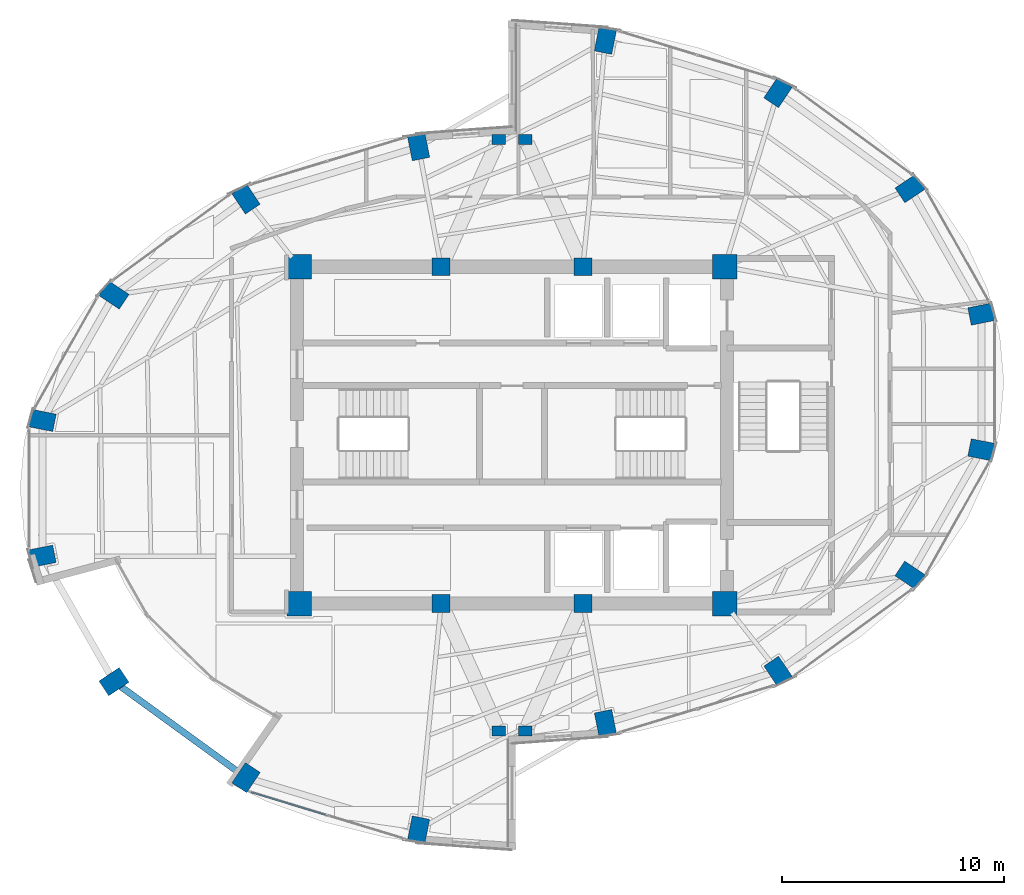
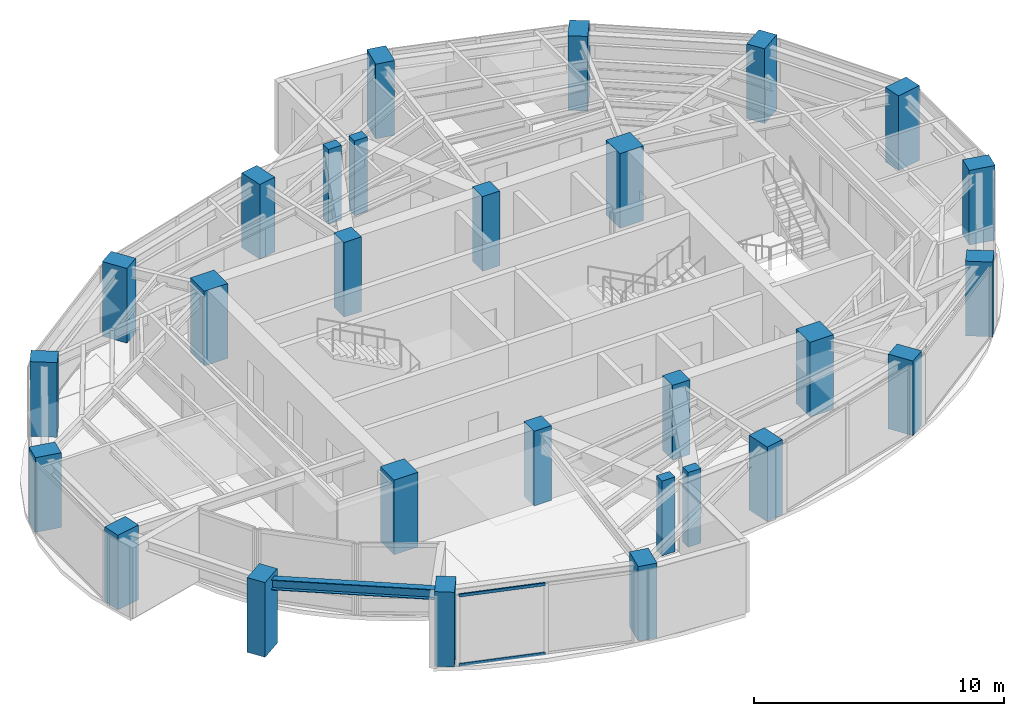
# One storey, part 1 of 21: 28 columns, 2 members, 1 beam, 1 element without a shape of its own.
"""IFC4 building model written with IfcOpenShell, lengths in metres."""

import ifcopenshell
import ifcopenshell.guid

model = None  # the IFC model being written
_history = None  # IfcOwnerHistory: only IFC2X3 demands one
_inside = {}  # id of a spatial element -> (the spatial element, [elements in it])
_under = {}  # id of a project, library or spatial element -> (it, [spatial elements below it])
_declared = {}  # id of a project -> (the project, [libraries it declares])
_typed = {}  # id of a type object -> (the type object, [elements of that type])
_made_of = {}  # id of a material, layer set ... -> (it, [elements and type objects made of it])


def new_model(schema):
    """Start an empty IFC model of exactly this schema.

    Asked for "IFC4X3", IfcOpenShell would pick the latest addendum, in which some entities
    have other attributes; the version numbers below select the first issue.
    IFC2X3 requires an IfcOwnerHistory on every rooted entity: one is made here for all.
    """
    global model, _history
    if schema == "IFC4X3":
        model = ifcopenshell.file(schema_version=(4, 3, 0, 0))
    else:
        model = ifcopenshell.file(schema=schema)
    _inside.clear()
    _under.clear()
    _declared.clear()
    _typed.clear()
    _made_of.clear()
    _history = None
    if model.schema == "IFC2X3":
        org = make("IfcOrganization", Name="unknown")
        user = make(
            "IfcPersonAndOrganization",
            ThePerson=make("IfcPerson", FamilyName="unknown"),
            TheOrganization=org,
        )
        app = make(
            "IfcApplication",
            ApplicationDeveloper=org,
            Version="unknown",
            ApplicationFullName="unknown",
            ApplicationIdentifier="unknown",
        )
        _history = make(
            "IfcOwnerHistory",
            OwningUser=user,
            OwningApplication=app,
            ChangeAction="ADDED",
            CreationDate=0,
        )
    return model


def make(cls, **values):
    """One entity of the class cls with the attributes given. An attribute that is None is left unset."""
    return model.create_entity(
        cls, **{name: value for name, value in values.items() if value is not None}
    )


def rooted(cls, **values):
    """An entity with a GlobalId (a new one), such as an element, a storey or a relation."""
    return make(cls, GlobalId=ifcopenshell.guid.new(), OwnerHistory=_history, **values)


def si_unit(unit_type, name, prefix=None):
    """IfcSIUnit, for example si_unit("LENGTHUNIT", "METRE", prefix="MILLI")."""
    return make("IfcSIUnit", UnitType=unit_type, Prefix=prefix, Name=name)


def assignment(units):
    """IfcUnitAssignment: the units of a project."""
    return None if units is None else make("IfcUnitAssignment", Units=units)


def point(xyz):
    """IfcCartesianPoint."""
    return None if xyz is None else make("IfcCartesianPoint", Coordinates=xyz)


def direction(xyz):
    """IfcDirection."""
    return None if xyz is None else make("IfcDirection", DirectionRatios=xyz)


def frame(location, z_axis=None, x_axis=None):
    """IfcAxis2Placement3D, a coordinate frame: its origin and axes. An axis left out is left unset."""
    return make(
        "IfcAxis2Placement3D",
        Location=point(location),
        Axis=direction(z_axis),
        RefDirection=direction(x_axis),
    )


def frame_2d(location, x_axis=None):
    """IfcAxis2Placement2D, a coordinate frame in the plane: its origin and x axis."""
    return make(
        "IfcAxis2Placement2D", Location=point(location), RefDirection=direction(x_axis)
    )


def origin():
    """The frame at (0, 0, 0) with its axes left unset."""
    return frame((0.0, 0.0, 0.0))


def origin_2d():
    """The frame at (0, 0) in the plane with its x axis left unset."""
    return frame_2d((0.0, 0.0))


def place(relative_to, where):
    """IfcLocalPlacement: puts the frame where relative to a parent placement (None: the world)."""
    return make(
        "IfcLocalPlacement", PlacementRelTo=relative_to, RelativePlacement=where
    )


def context(
    kind, dimensions, precision=None, world=None, true_north=None, identifier=None
):
    """IfcGeometricRepresentationContext, for example the 3D "Model" context."""
    return make(
        "IfcGeometricRepresentationContext",
        ContextIdentifier=identifier,
        ContextType=kind,
        CoordinateSpaceDimension=dimensions,
        Precision=precision,
        WorldCoordinateSystem=world,
        TrueNorth=true_north,
    )


def subcontext(parent, identifier, kind, view, scale=None):
    """IfcGeometricRepresentationSubContext, for example "Body" below "Model"."""
    return make(
        "IfcGeometricRepresentationSubContext",
        ContextIdentifier=identifier,
        ContextType=kind,
        ParentContext=parent,
        TargetScale=scale,
        TargetView=view,
    )


def project(units=None, contexts=None):
    """IfcProject with its units and contexts."""
    return rooted(
        "IfcProject",
        Name="project",
        RepresentationContexts=contexts,
        UnitsInContext=assignment(units),
    )


def spatial(cls, under=None, at=None, **own):
    """A site, building, storey or space (cls), placed at a placement, below another one or the project."""
    s = rooted(cls, ObjectPlacement=at, **own)
    if under is not None:
        _under.setdefault(under.id(), (under, []))[1].append(s)
    return s


def profile(cls, at=None, kind="AREA", **sizes):
    """A parametric profile (cls). Its sizes go by their IFC names, for example OverallWidth=200.0."""
    return make(cls, ProfileType=kind, Position=at, **sizes)


def rectangle(**sizes):
    """IfcRectangleProfileDef."""
    return profile("IfcRectangleProfileDef", **sizes)


def hollow_rectangle(**sizes):
    """IfcRectangleHollowProfileDef."""
    return profile("IfcRectangleHollowProfileDef", **sizes)


def i_section(**sizes):
    """IfcIShapeProfileDef."""
    return profile("IfcIShapeProfileDef", **sizes)


def extrude(swept, where, along, depth):
    """IfcExtrudedAreaSolid: the profile swept, set in the frame where, extruded along a direction by depth."""
    return make(
        "IfcExtrudedAreaSolid",
        SweptArea=swept,
        Position=where,
        ExtrudedDirection=direction(along),
        Depth=depth,
    )


def shape(context_of_items, identifier, shape_type, items):
    """IfcShapeRepresentation: the items that make up one representation, for example the "Body"."""
    return make(
        "IfcShapeRepresentation",
        ContextOfItems=context_of_items,
        RepresentationIdentifier=identifier,
        RepresentationType=shape_type,
        Items=items,
    )


def material(Name=None, Category=None):
    """IfcMaterial."""
    return make("IfcMaterial", Name=Name, Category=Category)


def layer(
    of_material, thickness, ventilated=None, Name=None, Category=None, Priority=None
):
    """IfcMaterialLayer: one layer of a wall or slab, of a material (None: an air gap)."""
    return make(
        "IfcMaterialLayer",
        Material=of_material,
        LayerThickness=thickness,
        IsVentilated=ventilated,
        Name=Name,
        Category=Category,
        Priority=Priority,
    )


def layer_set(layers, Name=None):
    """IfcMaterialLayerSet."""
    return make("IfcMaterialLayerSet", MaterialLayers=layers, LayerSetName=Name)


def material_profile(
    of_material, cross_section, Name=None, Category=None, Priority=None
):
    """IfcMaterialProfile: a cross section and its material."""
    return make(
        "IfcMaterialProfile",
        Name=Name,
        Material=of_material,
        Profile=cross_section,
        Priority=Priority,
        Category=Category,
    )


def profile_set(profiles, Name=None, composite=None):
    """IfcMaterialProfileSet."""
    return make(
        "IfcMaterialProfileSet",
        Name=Name,
        MaterialProfiles=profiles,
        CompositeProfile=composite,
    )


def made_of(thing, what):
    """Note that an element or type object is made of a material, layer set ...; save() writes the relation."""
    if what is not None:
        _made_of.setdefault(what.id(), (what, []))[1].append(thing)
    return thing


def type_object(cls, material=None, **own):
    """A type object (cls), such as IfcWallType, which elements share."""
    return made_of(rooted(cls, **own), material)


def element(
    cls,
    number,
    at=None,
    inside=None,
    cuts=None,
    type_object=None,
    material=None,
    context=None,
    identifier="Body",
    shape_type=None,
    held_by="IfcProductDefinitionShape",
    body=None,
    shapes=None,
    **own,
):
    """One element of the class cls, such as IfcWall. Its Tag is "e" and its number.

    at: its placement. inside: the storey or other place that contains it. cuts: it is an
    opening in that element (IfcRelVoidsElement). A single representation is given by context,
    identifier, shape_type and body (its items); several are given by shapes. held_by: the class
    of the entity that holds the representations. save() writes the other relations.
    """
    e = rooted(cls, Tag="e%d" % number, ObjectPlacement=at, **own)
    if body is not None:
        shapes = [shape(context, identifier, shape_type, body)]
    if shapes is not None:
        e.Representation = make(held_by, Representations=shapes)
    if inside is not None:
        _inside.setdefault(inside.id(), (inside, []))[1].append(e)
    if cuts is not None:
        rooted(
            "IfcRelVoidsElement", RelatingBuildingElement=cuts, RelatedOpeningElement=e
        )
    if type_object is not None:
        _typed.setdefault(type_object.id(), (type_object, []))[1].append(e)
    return made_of(e, material)


def aggregate(whole, parts):
    """IfcRelAggregates: a whole, such as a stair, and the parts it consists of."""
    return rooted("IfcRelAggregates", RelatingObject=whole, RelatedObjects=parts)


def save(model, path):
    """Write the relations noted so far, then the file.

    IfcRelAggregates (storeys below a building ...), IfcRelContainedInSpatialStructure (elements
    in a storey), IfcRelDefinesByType, IfcRelAssociatesMaterial and IfcRelDeclares: one each for
    every whole, place, type object, material and project.
    """
    for whole, parts in _under.values():
        aggregate(whole, parts)
    for where, things in _inside.values():
        rooted(
            "IfcRelContainedInSpatialStructure",
            RelatedElements=things,
            RelatingStructure=where,
        )
    for kind, things in _typed.values():
        rooted("IfcRelDefinesByType", RelatedObjects=things, RelatingType=kind)
    for what, things in _made_of.values():
        rooted("IfcRelAssociatesMaterial", RelatedObjects=things, RelatingMaterial=what)
    for by, libraries in _declared.values():
        rooted("IfcRelDeclares", RelatingContext=by, RelatedDefinitions=libraries)
    model.write(path)


model = new_model("IFC4")

# Units and contexts
model_context = context("Model", 3, precision=1e-05, world=origin(), true_north=direction((0.0, 1.0)))
body_context = subcontext(model_context, "Body", "Model", "MODEL_VIEW")
ifc_project = project(units=[si_unit("LENGTHUNIT", "METRE"), si_unit("AREAUNIT", "SQUARE_METRE"), si_unit("VOLUMEUNIT", "CUBIC_METRE"), si_unit("PLANEANGLEUNIT", "RADIAN"), si_unit("MASSUNIT", "GRAM", prefix="KILO")], contexts=[model_context])

# Site, building, storey
site_placement = place(None, origin())
site = spatial("IfcSite", under=ifc_project, at=site_placement, CompositionType="ELEMENT")
building_placement = place(site_placement, origin())
building = spatial("IfcBuilding", under=site, at=building_placement, Name="Lazwardi Medical Tower", CompositionType="ELEMENT")
storey_placement = place(building_placement, frame((0.0, 0.0, 220.367919921875)))
storey = spatial("IfcBuildingStorey", under=building, at=storey_placement, Name="L57", CompositionType="ELEMENT", Elevation=220.367919921875)

# Columns
ifc_material_1 = material(Name="Concrete C80/95", Category="concrete")
ifc_material_profile_1 = material_profile(ifc_material_1, rectangle(XDim=1.10009765625, YDim=1.10009765625, at=origin_2d()), Name="RC 1100x1100")
ifc_profile_set_1 = profile_set([ifc_material_profile_1], Name="Concrete C80/95")
column_type_1 = type_object("IfcColumnType", Name="COL-CC-L", PredefinedType="COLUMN", material=ifc_profile_set_1)
for number, where, z_axis, x_axis, name in (
    (1, (26.39990234375, 20.39990234375, 0.0), (0.0, 0.0, 1.0), (1.0, 0.0, 0.0), "Core column CC-01 CC1 L57"),
    (2, (45.60009765625, 20.39990234375, 0.0), (0.0, 0.0, 1.0), (1.0, 0.0, 0.0), "Core column CC-01 CC4 L57"),
    (3, (45.60009765625, 35.60009765625, 0.0), (0.0, 0.0, 1.0), (1.0, 0.0, 0.0), "Core column CC-01 CC5 L57"),
    (4, (26.39990234375, 35.60009765625, 0.0), (0.0, 0.0, 1.0), (1.0, 0.0, 0.0), "Core column CC-01 CC8 L57"),
):
    element("IfcColumn", number, at=place(storey_placement, frame(where, z_axis=z_axis, x_axis=x_axis)), inside=storey, type_object=column_type_1, Name=name, PredefinedType="COLUMN", context=body_context, shape_type="SweptSolid", body=[
        extrude(rectangle(XDim=1.10009765625, YDim=1.10009765625, at=origin_2d()), origin(), (0.0, 0.0, 1.0), 3.648193359375),
    ])
ifc_material_2 = material(Name="Concrete C60/75", Category="concrete")
ifc_material_profile_2 = material_profile(ifc_material_2, rectangle(XDim=0.800048828125, YDim=0.800048828125, at=origin_2d()), Name="RC 800x800")
ifc_profile_set_2 = profile_set([ifc_material_profile_2], Name="Concrete C60/75")
column_type_2 = type_object("IfcColumnType", Name="COL-CC-U", PredefinedType="COLUMN", material=ifc_profile_set_2)
for number, where, z_axis, x_axis, name in (
    (5, (32.800048828125, 20.39990234375, 0.0), (0.0, 0.0, 1.0), (1.0, 0.0, 0.0), "Core column CC-03 CC2 L57"),
    (6, (39.199951171875, 20.39990234375, 0.0), (0.0, 0.0, 1.0), (1.0, 0.0, 0.0), "Core column CC-03 CC3 L57"),
    (7, (39.199951171875, 35.60009765625, 0.0), (0.0, 0.0, 1.0), (1.0, 0.0, 0.0), "Core column CC-03 CC6 L57"),
    (8, (32.800048828125, 35.60009765625, 0.0), (0.0, 0.0, 1.0), (1.0, 0.0, 0.0), "Core column CC-03 CC7 L57"),
):
    element("IfcColumn", number, at=place(storey_placement, frame(where, z_axis=z_axis, x_axis=x_axis)), inside=storey, type_object=column_type_2, Name=name, PredefinedType="COLUMN", context=body_context, shape_type="SweptSolid", body=[
        extrude(rectangle(XDim=0.800048828125, YDim=0.800048828125, at=origin_2d()), origin(), (0.0, 0.0, 1.0), 3.648193359375),
    ])
ifc_material_profile_3 = material_profile(ifc_material_2, rectangle(XDim=1.10009765625, YDim=0.800048828125, at=origin_2d()), Name="CFT-RECT 1100x800")
ifc_profile_set_3 = profile_set([ifc_material_profile_3], Name="Concrete C60/75")
column_type_3 = type_object("IfcColumnType", Name="COL-MC-Z4", PredefinedType="COLUMN", material=ifc_profile_set_3)
for number, where, z_axis, x_axis, name in (
    (9, (40.214111328125, 15.001708984375, 0.0), (0.0, 0.0, 1.0), (0.195090322016, -0.980785280403, 0.0), "Mega column MC-06 M01 L57"),
    (10, (48.000244140625, 17.345947265625, 0.0), (0.0, 0.0, 1.0), (0.55557023302, -0.831469612303, 0.0), "Mega column MC-06 M02 L57"),
    (11, (53.959716796875, 21.677490234375, 0.0), (0.0, 0.0, 1.0), (0.831469612303, -0.55557023302, 0.0), "Mega column MC-06 M03 L57"),
    (12, (57.18505859375, 27.337158203125, 0.0), (0.0, 0.0, 1.0), (0.980785280403, -0.195090322016, 0.0), "Mega column MC-06 M04 L57"),
    (13, (57.18505859375, 33.462890625, 0.0), (0.0, 0.0, 1.0), (0.980785280403, 0.195090322016, 0.0), "Mega column MC-06 M05 L57"),
    (14, (53.959716796875, 39.12255859375, 0.0), (0.0, 0.0, 1.0), (0.831469612303, 0.55557023302, 0.0), "Mega column MC-06 M06 L57"),
    (15, (48.000244140625, 43.4541015625, 0.0), (0.0, 0.0, 1.0), (0.55557023302, 0.831469612303, 0.0), "Mega column MC-06 M07 L57"),
    (16, (40.214111328125, 45.79833984375, 0.0), (0.0, 0.0, 1.0), (0.195090322016, 0.980785280403, 0.0), "Mega column MC-06 M08 L57"),
    (17, (31.785888671875, 40.998291015625, 0.0), (0.0, 0.0, 1.0), (-0.195090322016, 0.980785280403, 0.0), "Mega column MC-06 M09 L57"),
    (18, (23.999755859375, 38.654052734375, 0.0), (0.0, 0.0, 1.0), (-0.55557023302, 0.831469612303, 0.0), "Mega column MC-06 M10 L57"),
    (19, (18.040283203125, 34.322509765625, 0.0), (0.0, 0.0, 1.0), (-0.831469612303, 0.55557023302, 0.0), "Mega column MC-06 M11 L57"),
    (20, (14.81494140625, 28.662841796875, 0.0), (0.0, 0.0, 1.0), (-0.980785280403, 0.195090322016, 0.0), "Mega column MC-06 M12 L57"),
    (21, (14.81494140625, 22.537109375, 0.0), (0.0, 0.0, 1.0), (-0.980785280403, -0.195090322016, 0.0), "Mega column MC-06 M13 L57"),
    (22, (18.040283203125, 16.87744140625, 0.0), (0.0, 0.0, 1.0), (-0.831469612303, -0.55557023302, 0.0), "Mega column MC-06 M14 L57"),
    (23, (23.999755859375, 12.5458984375, 0.0), (0.0, 0.0, 1.0), (-0.55557023302, -0.831469612303, 0.0), "Mega column MC-06 M15 L57"),
    (24, (31.785888671875, 10.20166015625, 0.0), (0.0, 0.0, 1.0), (-0.195090322016, -0.980785280403, 0.0), "Mega column MC-06 M16 L57"),
):
    element("IfcColumn", number, at=place(storey_placement, frame(where, z_axis=z_axis, x_axis=x_axis)), inside=storey, type_object=column_type_3, Name=name, PredefinedType="COLUMN", context=body_context, shape_type="SweptSolid", body=[
        extrude(rectangle(XDim=1.10009765625, YDim=0.800048828125, at=origin_2d()), origin(), (0.0, 0.0, 1.0), 3.648193359375),
    ])
ifc_material_profile_4 = material_profile(ifc_material_2, rectangle(XDim=0.60009765625, YDim=0.449951171875, at=origin_2d()), Name="RC 600x450")
ifc_profile_set_4 = profile_set([ifc_material_profile_4], Name="Concrete C60/75")
column_type_4 = type_object("IfcColumnType", Name="COL-PL-IW", PredefinedType="PILASTER", material=ifc_profile_set_4)
for number, where, z_axis, x_axis, name in (
    (25, (35.39990234375, 41.35009765625, 0.0), (0.0, 0.0, 1.0), (1.0, 0.0, 0.0), "Iwan pilaster column PL-C1 PL1 L57"),
    (26, (36.60009765625, 41.35009765625, 0.0), (0.0, 0.0, 1.0), (1.0, 0.0, 0.0), "Iwan pilaster column PL-C1 PL2 L57"),
    (27, (35.39990234375, 14.64990234375, 0.0), (0.0, 0.0, 1.0), (1.0, 0.0, 0.0), "Iwan pilaster column PL-C1 PL3 L57"),
    (28, (36.60009765625, 14.64990234375, 0.0), (0.0, 0.0, 1.0), (1.0, 0.0, 0.0), "Iwan pilaster column PL-C1 PL4 L57"),
):
    element("IfcColumn", number, at=place(storey_placement, frame(where, z_axis=z_axis, x_axis=x_axis)), inside=storey, type_object=column_type_4, Name=name, PredefinedType="PILASTER", context=body_context, shape_type="SweptSolid", body=[
        extrude(rectangle(XDim=0.60009765625, YDim=0.449951171875, at=origin_2d()), origin(), (0.0, 0.0, 1.0), 3.648193359375),
    ])

# Beam
ifc_material_3 = material(Name="Steel S355", Category="steel")
ifc_material_profile_5 = material_profile(ifc_material_3, i_section(OverallWidth=0.300048828125, OverallDepth=0.5, WebThickness=0.014404296875, FlangeThickness=0.028076171875, at=origin_2d()), Name="HEB 500")
ifc_profile_set_5 = profile_set([ifc_material_profile_5], Name="Steel S355")
beam_type = type_object("IfcBeamType", Name="BM-RB-Z4", PredefinedType="BEAM", material=ifc_profile_set_5)
beam_placement = place(storey_placement, frame((18.355712890625, 16.648193359375, 3.197998046875), z_axis=(0.808889916254, -0.587960120571, 0.0), x_axis=(0.587960120571, 0.808889916254, 0.0)))
element("IfcBeam", 29, at=beam_placement, inside=storey, type_object=beam_type, Name="Ring beam RB-05 B14 L57", PredefinedType="BEAM", context=body_context, shape_type="SweptSolid", body=[
    extrude(i_section(OverallWidth=0.300048828125, OverallDepth=0.5, WebThickness=0.014404296875, FlangeThickness=0.028076171875, at=origin_2d()), origin(), (0.0, 0.0, 1.0), 6.587158203125),
])

# Curtain wall, members
ifc_material_4 = material(Name="Anodised bronze aluminium and solar control glazing", Category="aluminium")
ifc_layer = layer(ifc_material_4, 0.18994140625)
ifc_layer_set = layer_set([ifc_layer], Name="Anodised bronze aluminium and solar control glazing")
curtain_wall_type = type_object("IfcCurtainWallType", Name="CW-SYS-04", PredefinedType="NOTDEFINED", material=ifc_layer_set)
curtain_wall_placement = place(storey_placement, origin())
curtain_wall = element("IfcCurtainWall", 30, at=curtain_wall_placement, inside=storey, type_object=curtain_wall_type, Name="L57 Unitised bronze curtain wall CW-04", PredefinedType="NOTDEFINED")
ifc_material_5 = material(Name="Anodised bronze aluminium", Category="aluminium")
ifc_material_profile_6 = material_profile(ifc_material_5, hollow_rectangle(XDim=0.06494140625, YDim=0.139892578125, WallThickness=0.00341796875, at=origin_2d()), Name="ALU-TRANSOM 140x65x3.5")
ifc_profile_set_6 = profile_set([ifc_material_profile_6], Name="Anodised bronze aluminium")
member_type = type_object("IfcMemberType", Name="CW-TRN-03", PredefinedType="USERDEFINED", material=ifc_profile_set_6)
member_1_placement = place(storey_placement, frame((24.2314453125, 11.886962890625, 0.032470703125), z_axis=(0.956862505902, -0.290541124109, 0.0), x_axis=(0.290541124109, 0.956862505902, 0.0)))
member_1 = element("IfcMember", 31, at=member_1_placement, type_object=member_type, Name="CW-04 transom 1.1", ObjectType="TRANSOM", PredefinedType="USERDEFINED", context=body_context, shape_type="SweptSolid", body=[
    extrude(hollow_rectangle(XDim=0.06494140625, YDim=0.139892578125, WallThickness=0.00341796875, at=origin_2d()), origin(), (0.0, 0.0, 1.0), 3.554443359375),
])
member_2_placement = place(storey_placement, frame((24.2314453125, 11.886962890625, 3.41552734375), z_axis=(0.956862505902, -0.290541124109, 0.0), x_axis=(0.290541124109, 0.956862505902, 0.0)))
member_2 = element("IfcMember", 32, at=member_2_placement, type_object=member_type, Name="CW-04 transom 1.2", ObjectType="TRANSOM", PredefinedType="USERDEFINED", context=body_context, shape_type="SweptSolid", body=[
    extrude(hollow_rectangle(XDim=0.06494140625, YDim=0.139892578125, WallThickness=0.00341796875, at=origin_2d()), origin(), (0.0, 0.0, 1.0), 3.554443359375),
])
aggregate(curtain_wall, [member_1, member_2])

save(model, "model.ifc")
